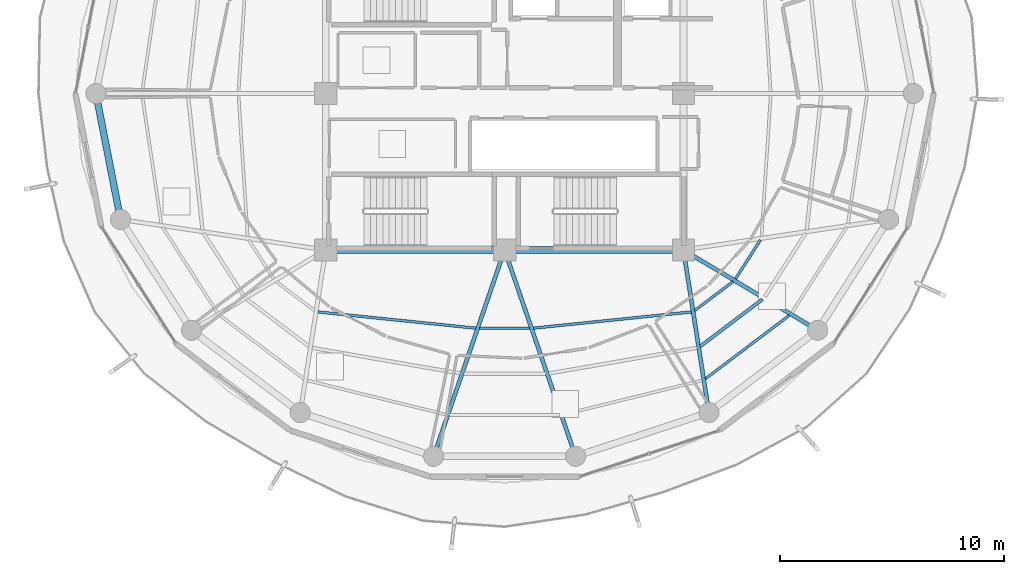
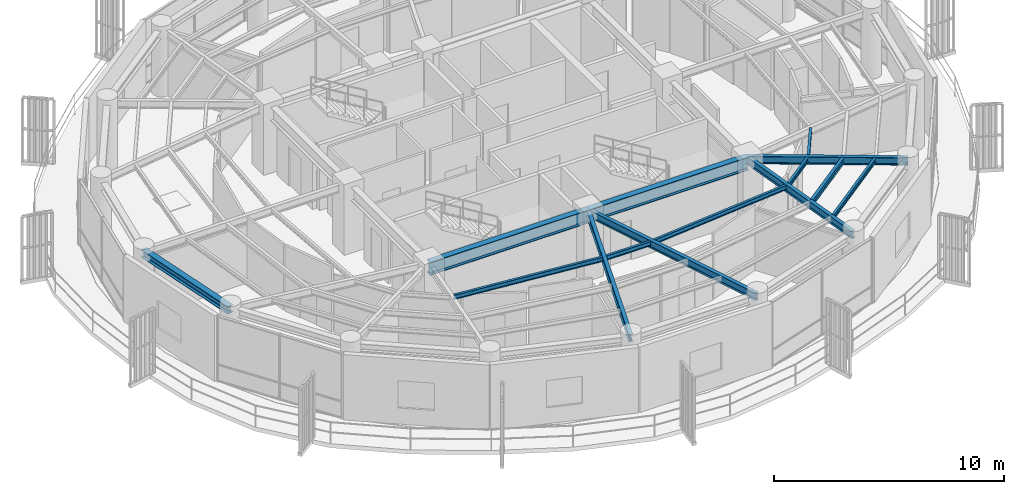
# One storey, part 4 of 22: 14 beams.
"""IFC4 building model written with IfcOpenShell, lengths in metres."""

from ifc_helpers import new_model, si_unit, direction, frame, origin, origin_2d, place, context, subcontext, project, spatial, i_section, extrude, material, material_profile, profile_set, type_object, element, save


model = new_model("IFC4")

# Units and contexts
model_context = context("Model", 3, precision=1e-05, world=origin(), true_north=direction((0.0, 1.0)))
body_context = subcontext(model_context, "Body", "Model", "MODEL_VIEW")
ifc_project = project(units=[si_unit("LENGTHUNIT", "METRE"), si_unit("AREAUNIT", "SQUARE_METRE"), si_unit("VOLUMEUNIT", "CUBIC_METRE"), si_unit("PLANEANGLEUNIT", "RADIAN"), si_unit("MASSUNIT", "GRAM", prefix="KILO")], contexts=[model_context])

# Site, building, storey
site_placement = place(None, origin())
site = spatial("IfcSite", under=ifc_project, at=site_placement, CompositionType="ELEMENT")
building_placement = place(site_placement, origin())
building = spatial("IfcBuilding", under=site, at=building_placement, Name="Kelanora Arch Commons", CompositionType="ELEMENT")
storey_placement = place(building_placement, frame((0.0, 0.0, 267.449951171875)))
storey = spatial("IfcBuildingStorey", under=building, at=storey_placement, Name="L68", CompositionType="ELEMENT", Elevation=267.449951171875)

# Beams
ifc_material = material(Name="Steel S355", Category="steel")
ifc_material_profile_1 = material_profile(ifc_material, i_section(OverallWidth=0.300048828125, OverallDepth=0.699951171875, WebThickness=0.01708984375, FlangeThickness=0.031982421875, FilletRadius=0.027099609375, at=origin_2d()), Name="HEB700")
ifc_profile_set_1 = profile_set([ifc_material_profile_1], Name="Steel S355")
beam_type_1 = type_object("IfcBeamType", Name="BM-CORE-HDR", PredefinedType="BEAM", material=ifc_profile_set_1)
for number, where, z_axis, x_axis, name in (
    (1, (66.0, 51.0, 3.14013671875), (1.0, 0.0, 0.0), (0.0, 1.0, 0.0), "Core Header Beam 01 L68"),
    (2, (74.0, 51.0, 3.14013671875), (1.0, 0.0, 0.0), (0.0, 1.0, 0.0), "Core Header Beam 02 L68"),
):
    element("IfcBeam", number, at=place(storey_placement, frame(where, z_axis=z_axis, x_axis=x_axis)), inside=storey, type_object=beam_type_1, Name=name, PredefinedType="BEAM", context=body_context, shape_type="SweptSolid", body=[
        extrude(i_section(OverallWidth=0.300048828125, OverallDepth=0.699951171875, WebThickness=0.01708984375, FlangeThickness=0.031982421875, FilletRadius=0.027099609375, at=origin_2d()), origin(), (0.0, 0.0, 1.0), 8.0),
    ])
ifc_material_profile_2 = material_profile(ifc_material, i_section(OverallWidth=0.14990234375, OverallDepth=0.300048828125, WebThickness=0.007080078125, FlangeThickness=0.0107421875, FilletRadius=0.014892578125, at=origin_2d()), Name="IPE300")
ifc_profile_set_2 = profile_set([ifc_material_profile_2], Name="Steel S355")
beam_type_2 = type_object("IfcBeamType", Name="BM-JST-01", PredefinedType="JOIST", material=ifc_profile_set_2)
beam_1_placement = place(storey_placement, frame((82.751708984375, 46.68798828125, 3.340087890625), z_axis=(0.797499198801, 0.603320004568, 0.0), x_axis=(-0.603320004568, 0.797499198801, 0.0)))
element("IfcBeam", 3, at=beam_1_placement, inside=storey, type_object=beam_type_2, Name="Secondary Chord Joist BJB-30 L68", PredefinedType="JOIST", context=body_context, shape_type="SweptSolid", body=[
    extrude(i_section(OverallWidth=0.14990234375, OverallDepth=0.300048828125, WebThickness=0.007080078125, FlangeThickness=0.0107421875, FilletRadius=0.014892578125, at=origin_2d()), origin(), (0.0, 0.0, 1.0), 3.489013671875),
])
ifc_material_profile_3 = material_profile(ifc_material, i_section(OverallWidth=0.1201171875, OverallDepth=0.239990234375, WebThickness=0.006103515625, FlangeThickness=0.009765625, FilletRadius=0.014892578125, at=origin_2d()), Name="IPE240")
ifc_profile_set_3 = profile_set([ifc_material_profile_3], Name="Steel S355")
beam_type_3 = type_object("IfcBeamType", Name="BM-JST-02", PredefinedType="JOIST", material=ifc_profile_set_3)
beam_2_placement = place(storey_placement, frame((65.6513671875, 48.227783203125, 3.3701171875), z_axis=(0.994746545688, -0.102368500239, 0.0), x_axis=(0.102368500239, 0.994746545688, 0.0)))
element("IfcBeam", 4, at=beam_2_placement, inside=storey, type_object=beam_type_3, Name="Secondary Chord Joist BJA-24 L68", PredefinedType="JOIST", context=body_context, shape_type="SweptSolid", body=[
    extrude(i_section(OverallWidth=0.1201171875, OverallDepth=0.239990234375, WebThickness=0.006103515625, FlangeThickness=0.009765625, FilletRadius=0.014892578125, at=origin_2d()), origin(), (0.0, 0.0, 1.0), 7.09521484375),
])
beam_3_placement = place(storey_placement, frame((72.87890625, 47.492919921875, 3.3701171875), z_axis=(1.0, 0.0, 0.0), x_axis=(0.0, 1.0, 0.0)))
element("IfcBeam", 5, at=beam_3_placement, inside=storey, type_object=beam_type_3, Name="Secondary Chord Joist BJA-26 L68", PredefinedType="JOIST", context=body_context, shape_type="SweptSolid", body=[
    extrude(i_section(OverallWidth=0.1201171875, OverallDepth=0.239990234375, WebThickness=0.006103515625, FlangeThickness=0.009765625, FilletRadius=0.014892578125, at=origin_2d()), origin(), (0.0, 0.0, 1.0), 2.2421875),
])
beam_4_placement = place(storey_placement, frame((75.290771484375, 47.50146484375, 3.3701171875), z_axis=(0.994746545688, 0.102368500239, 0.0), x_axis=(-0.102368500239, 0.994746545688, 0.0)))
element("IfcBeam", 6, at=beam_4_placement, inside=storey, type_object=beam_type_3, Name="Secondary Chord Joist BJA-28 L68", PredefinedType="JOIST", context=body_context, shape_type="SweptSolid", body=[
    extrude(i_section(OverallWidth=0.1201171875, OverallDepth=0.239990234375, WebThickness=0.006103515625, FlangeThickness=0.009765625, FilletRadius=0.014892578125, at=origin_2d()), origin(), (0.0, 0.0, 1.0), 7.09521484375),
])
beam_5_placement = place(storey_placement, frame((82.5009765625, 48.287841796875, 3.3701171875), z_axis=(0.797509883882, 0.603305880222, 0.0), x_axis=(-0.603305880222, 0.797509883882, 0.0)))
element("IfcBeam", 7, at=beam_5_placement, inside=storey, type_object=beam_type_3, Name="Secondary Chord Joist BJA-30 L68", PredefinedType="JOIST", context=body_context, shape_type="SweptSolid", body=[
    extrude(i_section(OverallWidth=0.1201171875, OverallDepth=0.239990234375, WebThickness=0.006103515625, FlangeThickness=0.009765625, FilletRadius=0.014892578125, at=origin_2d()), origin(), (0.0, 0.0, 1.0), 2.147216796875),
])
beam_6_placement = place(storey_placement, frame((82.979736328125, 45.233642578125, 3.3701171875), z_axis=(0.79752302984, 0.60328850219, 0.0), x_axis=(-0.60328850219, 0.79752302984, 0.0)))
element("IfcBeam", 8, at=beam_6_placement, inside=storey, type_object=beam_type_3, Name="Secondary Chord Joist BJC-30 L68", PredefinedType="JOIST", context=body_context, shape_type="SweptSolid", body=[
    extrude(i_section(OverallWidth=0.1201171875, OverallDepth=0.239990234375, WebThickness=0.006103515625, FlangeThickness=0.009765625, FilletRadius=0.014892578125, at=origin_2d()), origin(), (0.0, 0.0, 1.0), 4.70849609375),
])
beam_7_placement = place(storey_placement, frame((84.3271484375, 49.706298828125, 3.3701171875), z_axis=(0.539311810315, 0.842106152011, 0.0), x_axis=(-0.842106152011, 0.539311810315, 0.0)))
element("IfcBeam", 9, at=beam_7_placement, inside=storey, type_object=beam_type_3, Name="Secondary Chord Joist BJA-32 L68", PredefinedType="JOIST", context=body_context, shape_type="SweptSolid", body=[
    extrude(i_section(OverallWidth=0.1201171875, OverallDepth=0.239990234375, WebThickness=0.006103515625, FlangeThickness=0.009765625, FilletRadius=0.014892578125, at=origin_2d()), origin(), (0.0, 0.0, 1.0), 2.06640625),
])
ifc_material_profile_4 = material_profile(ifc_material, i_section(OverallWidth=0.179931640625, OverallDepth=0.39990234375, WebThickness=0.008544921875, FlangeThickness=0.013427734375, FilletRadius=0.02099609375, at=origin_2d()), Name="IPE400")
ifc_profile_set_4 = profile_set([ifc_material_profile_4], Name="Steel S355")
beam_type_4 = type_object("IfcBeamType", Name="BM-RAD-Z5", PredefinedType="BEAM", material=ifc_profile_set_4)
for number, where, z_axis, x_axis, name in (
    (10, (74.0, 51.0, 3.2900390625), (-0.325233562807, -0.945633718532, 0.0), (0.945633718532, -0.325233562807, 0.0), "Radial Floor Girder BR-26 L68"),
    (11, (74.0, 51.0, 3.2900390625), (0.325233562807, -0.945633718532, 0.0), (0.945633718532, 0.325233562807, 0.0), "Radial Floor Girder BR-28 L68"),
):
    element("IfcBeam", number, at=place(storey_placement, frame(where, z_axis=z_axis, x_axis=x_axis)), inside=storey, type_object=beam_type_4, Name=name, PredefinedType="BEAM", context=body_context, shape_type="SweptSolid", body=[
        extrude(i_section(OverallWidth=0.179931640625, OverallDepth=0.39990234375, WebThickness=0.008544921875, FlangeThickness=0.013427734375, FilletRadius=0.02099609375, at=origin_2d()), origin(), (0.0, 0.0, 1.0), 9.760009765625),
    ])
beam_8_placement = place(storey_placement, frame((82.0, 51.0, 3.2900390625), z_axis=(0.154855424129, -0.987937142544, 0.0), x_axis=(0.987937142544, 0.154855424129, 0.0)))
element("IfcBeam", 12, at=beam_8_placement, inside=storey, type_object=beam_type_4, Name="Radial Floor Girder BR-30 L68", PredefinedType="BEAM", context=body_context, shape_type="SweptSolid", body=[
    extrude(i_section(OverallWidth=0.179931640625, OverallDepth=0.39990234375, WebThickness=0.008544921875, FlangeThickness=0.013427734375, FilletRadius=0.02099609375, at=origin_2d()), origin(), (0.0, 0.0, 1.0), 7.361083984375),
])
beam_9_placement = place(storey_placement, frame((82.0, 51.0, 3.2900390625), z_axis=(0.858062005744, -0.513546097541, 0.0), x_axis=(0.513546097541, 0.858062005744, 0.0)))
element("IfcBeam", 13, at=beam_9_placement, inside=storey, type_object=beam_type_4, Name="Radial Floor Girder BR-32 L68", PredefinedType="BEAM", context=body_context, shape_type="SweptSolid", body=[
    extrude(i_section(OverallWidth=0.179931640625, OverallDepth=0.39990234375, WebThickness=0.008544921875, FlangeThickness=0.013427734375, FilletRadius=0.02099609375, at=origin_2d()), origin(), (0.0, 0.0, 1.0), 6.99658203125),
])
ifc_material_profile_5 = material_profile(ifc_material, i_section(OverallWidth=0.300048828125, OverallDepth=0.39990234375, WebThickness=0.013427734375, FlangeThickness=0.02392578125, FilletRadius=0.027099609375, at=origin_2d()), Name="HEB400")
ifc_profile_set_5 = profile_set([ifc_material_profile_5], Name="Steel S355")
beam_type_5 = type_object("IfcBeamType", Name="BM-SPN-Z4", PredefinedType="SPANDREL", material=ifc_profile_set_5)
beam_10_placement = place(storey_placement, frame((55.719970703125, 58.0, 3.2900390625), z_axis=(0.191969774604, -0.981400838413, 0.0), x_axis=(0.981400838413, 0.191969774604, 0.0)))
element("IfcBeam", 14, at=beam_10_placement, inside=storey, type_object=beam_type_5, Name="Perimeter Spandrel Beam BS-18 L68", PredefinedType="SPANDREL", context=body_context, shape_type="SweptSolid", body=[
    extrude(i_section(OverallWidth=0.300048828125, OverallDepth=0.39990234375, WebThickness=0.013427734375, FlangeThickness=0.02392578125, FilletRadius=0.027099609375, at=origin_2d()), origin(), (0.0, 0.0, 1.0), 5.743408203125),
])

save(model, "model.ifc")
